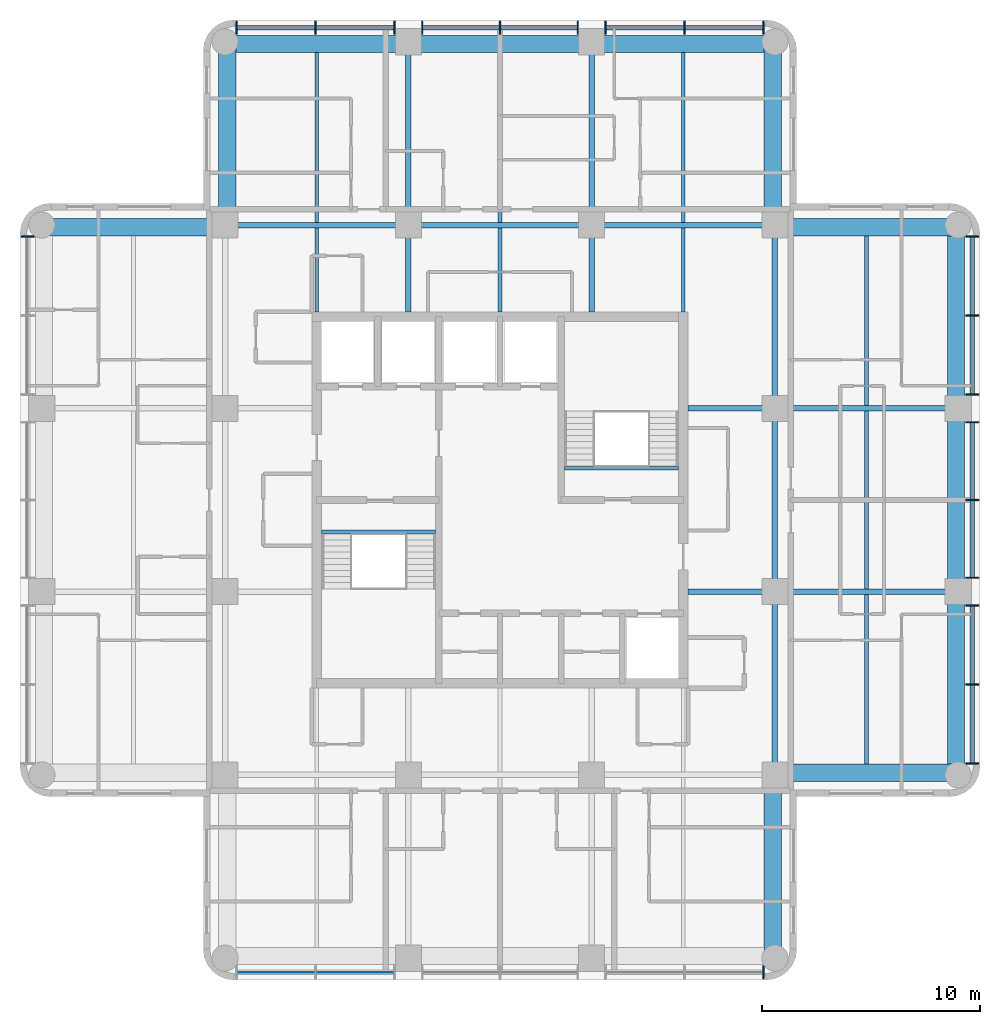
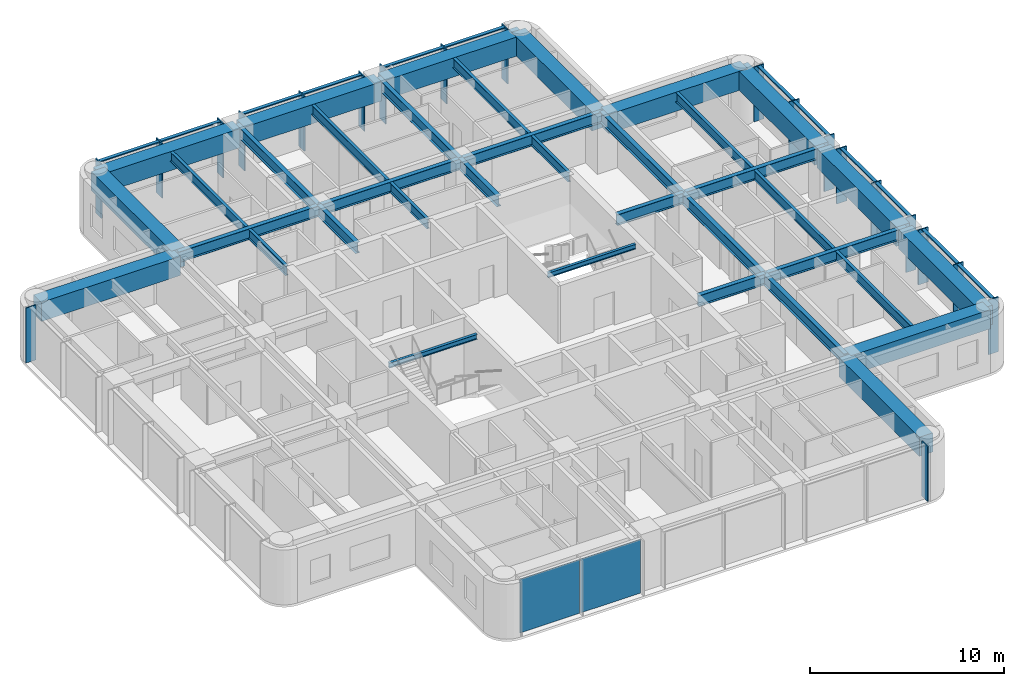
# One storey, part 2 of 10: 37 beams, 32 members, 2 plates, 4 elements without a shape of their own.
"""IFC4 building model written with IfcOpenShell, lengths in metres."""

from ifc_helpers import new_model, si_unit, direction, frame, origin, origin_2d, place, context, subcontext, project, spatial, rectangle, i_section, extrude, material, layer, layer_set, material_profile, profile_set, type_object, element, aggregate, save


model = new_model("IFC4")

# Units and contexts
model_context = context("Model", 3, precision=1e-05, world=origin(), true_north=direction((0.0, 1.0)))
body_context = subcontext(model_context, "Body", "Model", "MODEL_VIEW")
ifc_project = project(units=[si_unit("LENGTHUNIT", "METRE"), si_unit("AREAUNIT", "SQUARE_METRE"), si_unit("VOLUMEUNIT", "CUBIC_METRE"), si_unit("PLANEANGLEUNIT", "RADIAN"), si_unit("MASSUNIT", "GRAM", prefix="KILO")], contexts=[model_context])

# Site, building, storey
site_placement = place(None, origin())
site = spatial("IfcSite", under=ifc_project, at=site_placement, CompositionType="ELEMENT")
building_placement = place(site_placement, origin())
building = spatial("IfcBuilding", under=site, at=building_placement, Name="Torre Alcanfor", CompositionType="ELEMENT")
storey_placement = place(building_placement, frame((0.0, 0.0, 279.300048828125)))
storey = spatial("IfcBuildingStorey", under=building, at=storey_placement, Name="L73", CompositionType="ELEMENT", Elevation=279.300048828125)

# Curtain wall, member
ifc_material_1 = material(Name="Aluminium and glass", Category="aluminium")
curtain_wall_type = type_object("IfcCurtainWallType", Name="CW-A unitised apartment glazing with vertical FIN", PredefinedType="NOTDEFINED", material=ifc_material_1)
curtain_wall_1_placement = place(storey_placement, origin())
curtain_wall_1 = element("IfcCurtainWall", 1, at=curtain_wall_1_placement, inside=storey, type_object=curtain_wall_type, Name="Curtain wall CW-A L73 2", PredefinedType="NOTDEFINED")
ifc_material_2 = material(Name="Bronze anodised aluminium", Category="aluminium")
ifc_material_profile_1 = material_profile(ifc_material_2, rectangle(XDim=0.60009765625, YDim=0.06494140625, at=origin_2d()), Name="CW-A mullion 65x600")
ifc_profile_set_1 = profile_set([ifc_material_profile_1], Name="Bronze anodised aluminium")
member_type_1 = type_object("IfcMemberType", Name="CW-A mullion with vertical FIN 65x600", PredefinedType="MULLION", material=ifc_profile_set_1)
member_1_placement = place(storey_placement, frame((7.75, 41.47412109375, 0.0), z_axis=(0.0, 0.0, 1.0), x_axis=(1.0, 0.0, 0.0)))
member_1 = element("IfcMember", 2, at=member_1_placement, type_object=member_type_1, Name="CW-A mullion 1.1", PredefinedType="MULLION", context=body_context, shape_type="SweptSolid", body=[
    extrude(rectangle(XDim=0.60009765625, YDim=0.06494140625, at=origin_2d()), origin(), (0.0, 0.0, 1.0), 3.449951171875),
])
aggregate(curtain_wall_1, [member_1])

curtain_wall_2_placement = place(storey_placement, origin())
curtain_wall_2 = element("IfcCurtainWall", 3, at=curtain_wall_2_placement, inside=storey, type_object=curtain_wall_type, Name="Curtain wall CW-A L73 5", PredefinedType="NOTDEFINED")
member_2_placement = place(storey_placement, frame((41.47412109375, 7.75, 0.0), z_axis=(0.0, 0.0, 1.0), x_axis=(0.0, 1.0, 0.0)))
member_2 = element("IfcMember", 4, at=member_2_placement, type_object=member_type_1, Name="CW-A mullion 3.3", PredefinedType="MULLION", context=body_context, shape_type="SweptSolid", body=[
    extrude(rectangle(XDim=0.60009765625, YDim=0.06494140625, at=origin_2d()), origin(), (0.0, 0.0, 1.0), 3.449951171875),
])

# Curtain wall, members
curtain_wall_3_placement = place(storey_placement, origin())
curtain_wall_3 = element("IfcCurtainWall", 5, at=curtain_wall_3_placement, inside=storey, type_object=curtain_wall_type, Name="Curtain wall CW-A L73 8", PredefinedType="NOTDEFINED")
member_3_placement = place(storey_placement, frame((51.050048828125, 17.325927734375, 0.0), z_axis=(0.0, 0.0, 1.0), x_axis=(-1.0, 0.0, 0.0)))
member_3 = element("IfcMember", 6, at=member_3_placement, type_object=member_type_1, Name="CW-A mullion 1.1", PredefinedType="MULLION", context=body_context, shape_type="SweptSolid", body=[
    extrude(rectangle(XDim=0.60009765625, YDim=0.06494140625, at=origin_2d()), origin(), (0.0, 0.0, 1.0), 3.449951171875),
])
member_4_placement = place(storey_placement, frame((51.050048828125, 20.9443359375, 0.0), z_axis=(0.0, 0.0, 1.0), x_axis=(-1.0, 0.0, 0.0)))
member_4 = element("IfcMember", 7, at=member_4_placement, type_object=member_type_1, Name="CW-A mullion 1.2", PredefinedType="MULLION", context=body_context, shape_type="SweptSolid", body=[
    extrude(rectangle(XDim=0.60009765625, YDim=0.06494140625, at=origin_2d()), origin(), (0.0, 0.0, 1.0), 3.449951171875),
])
member_5_placement = place(storey_placement, frame((51.050048828125, 24.5625, 0.0), z_axis=(0.0, 0.0, 1.0), x_axis=(-1.0, 0.0, 0.0)))
member_5 = element("IfcMember", 8, at=member_5_placement, type_object=member_type_1, Name="CW-A mullion 1.3", PredefinedType="MULLION", context=body_context, shape_type="SweptSolid", body=[
    extrude(rectangle(XDim=0.60009765625, YDim=0.06494140625, at=origin_2d()), origin(), (0.0, 0.0, 1.0), 3.449951171875),
])
member_6_placement = place(storey_placement, frame((51.050048828125, 25.83740234375, 0.0), z_axis=(0.0, 0.0, 1.0), x_axis=(-1.0, 0.0, 0.0)))
member_6 = element("IfcMember", 9, at=member_6_placement, type_object=member_type_1, Name="CW-A mullion 2.1", PredefinedType="MULLION", context=body_context, shape_type="SweptSolid", body=[
    extrude(rectangle(XDim=0.60009765625, YDim=0.06494140625, at=origin_2d()), origin(), (0.0, 0.0, 1.0), 3.449951171875),
])
member_7_placement = place(storey_placement, frame((51.050048828125, 29.39990234375, 0.0), z_axis=(0.0, 0.0, 1.0), x_axis=(-1.0, 0.0, 0.0)))
member_7 = element("IfcMember", 10, at=member_7_placement, type_object=member_type_1, Name="CW-A mullion 2.2", PredefinedType="MULLION", context=body_context, shape_type="SweptSolid", body=[
    extrude(rectangle(XDim=0.60009765625, YDim=0.06494140625, at=origin_2d()), origin(), (0.0, 0.0, 1.0), 3.449951171875),
])
member_8_placement = place(storey_placement, frame((51.050048828125, 32.96240234375, 0.0), z_axis=(0.0, 0.0, 1.0), x_axis=(-1.0, 0.0, 0.0)))
member_8 = element("IfcMember", 11, at=member_8_placement, type_object=member_type_1, Name="CW-A mullion 2.3", PredefinedType="MULLION", context=body_context, shape_type="SweptSolid", body=[
    extrude(rectangle(XDim=0.60009765625, YDim=0.06494140625, at=origin_2d()), origin(), (0.0, 0.0, 1.0), 3.449951171875),
])
member_9_placement = place(storey_placement, frame((51.050048828125, 34.237548828125, 0.0), z_axis=(0.0, 0.0, 1.0), x_axis=(-1.0, 0.0, 0.0)))
member_9 = element("IfcMember", 12, at=member_9_placement, type_object=member_type_1, Name="CW-A mullion 3.1", PredefinedType="MULLION", context=body_context, shape_type="SweptSolid", body=[
    extrude(rectangle(XDim=0.60009765625, YDim=0.06494140625, at=origin_2d()), origin(), (0.0, 0.0, 1.0), 3.449951171875),
])
member_10_placement = place(storey_placement, frame((51.050048828125, 37.855712890625, 0.0), z_axis=(0.0, 0.0, 1.0), x_axis=(-1.0, 0.0, 0.0)))
member_10 = element("IfcMember", 13, at=member_10_placement, type_object=member_type_1, Name="CW-A mullion 3.2", PredefinedType="MULLION", context=body_context, shape_type="SweptSolid", body=[
    extrude(rectangle(XDim=0.60009765625, YDim=0.06494140625, at=origin_2d()), origin(), (0.0, 0.0, 1.0), 3.449951171875),
])
member_11_placement = place(storey_placement, frame((51.050048828125, 41.47412109375, 0.0), z_axis=(0.0, 0.0, 1.0), x_axis=(-1.0, 0.0, 0.0)))
member_11 = element("IfcMember", 14, at=member_11_placement, type_object=member_type_1, Name="CW-A mullion 3.3", PredefinedType="MULLION", context=body_context, shape_type="SweptSolid", body=[
    extrude(rectangle(XDim=0.60009765625, YDim=0.06494140625, at=origin_2d()), origin(), (0.0, 0.0, 1.0), 3.449951171875),
])

curtain_wall_4_placement = place(storey_placement, origin())
curtain_wall_4 = element("IfcCurtainWall", 15, at=curtain_wall_4_placement, inside=storey, type_object=curtain_wall_type, Name="Curtain wall CW-A L73 11", PredefinedType="NOTDEFINED")
member_12_placement = place(storey_placement, frame((41.47412109375, 51.050048828125, 0.0), z_axis=(0.0, 0.0, 1.0), x_axis=(0.0, -1.0, 0.0)))
member_12 = element("IfcMember", 16, at=member_12_placement, type_object=member_type_1, Name="CW-A mullion 1.1", PredefinedType="MULLION", context=body_context, shape_type="SweptSolid", body=[
    extrude(rectangle(XDim=0.60009765625, YDim=0.06494140625, at=origin_2d()), origin(), (0.0, 0.0, 1.0), 3.449951171875),
])
member_13_placement = place(storey_placement, frame((37.855712890625, 51.050048828125, 0.0), z_axis=(0.0, 0.0, 1.0), x_axis=(0.0, -1.0, 0.0)))
member_13 = element("IfcMember", 17, at=member_13_placement, type_object=member_type_1, Name="CW-A mullion 1.2", PredefinedType="MULLION", context=body_context, shape_type="SweptSolid", body=[
    extrude(rectangle(XDim=0.60009765625, YDim=0.06494140625, at=origin_2d()), origin(), (0.0, 0.0, 1.0), 3.449951171875),
])
member_14_placement = place(storey_placement, frame((34.237548828125, 51.050048828125, 0.0), z_axis=(0.0, 0.0, 1.0), x_axis=(0.0, -1.0, 0.0)))
member_14 = element("IfcMember", 18, at=member_14_placement, type_object=member_type_1, Name="CW-A mullion 1.3", PredefinedType="MULLION", context=body_context, shape_type="SweptSolid", body=[
    extrude(rectangle(XDim=0.60009765625, YDim=0.06494140625, at=origin_2d()), origin(), (0.0, 0.0, 1.0), 3.449951171875),
])
member_15_placement = place(storey_placement, frame((32.96240234375, 51.050048828125, 0.0), z_axis=(0.0, 0.0, 1.0), x_axis=(0.0, -1.0, 0.0)))
member_15 = element("IfcMember", 19, at=member_15_placement, type_object=member_type_1, Name="CW-A mullion 2.1", PredefinedType="MULLION", context=body_context, shape_type="SweptSolid", body=[
    extrude(rectangle(XDim=0.60009765625, YDim=0.06494140625, at=origin_2d()), origin(), (0.0, 0.0, 1.0), 3.449951171875),
])
member_16_placement = place(storey_placement, frame((29.39990234375, 51.050048828125, 0.0), z_axis=(0.0, 0.0, 1.0), x_axis=(0.0, -1.0, 0.0)))
member_16 = element("IfcMember", 20, at=member_16_placement, type_object=member_type_1, Name="CW-A mullion 2.2", PredefinedType="MULLION", context=body_context, shape_type="SweptSolid", body=[
    extrude(rectangle(XDim=0.60009765625, YDim=0.06494140625, at=origin_2d()), origin(), (0.0, 0.0, 1.0), 3.449951171875),
])
member_17_placement = place(storey_placement, frame((25.83740234375, 51.050048828125, 0.0), z_axis=(0.0, 0.0, 1.0), x_axis=(0.0, -1.0, 0.0)))
member_17 = element("IfcMember", 21, at=member_17_placement, type_object=member_type_1, Name="CW-A mullion 2.3", PredefinedType="MULLION", context=body_context, shape_type="SweptSolid", body=[
    extrude(rectangle(XDim=0.60009765625, YDim=0.06494140625, at=origin_2d()), origin(), (0.0, 0.0, 1.0), 3.449951171875),
])
member_18_placement = place(storey_placement, frame((24.5625, 51.050048828125, 0.0), z_axis=(0.0, 0.0, 1.0), x_axis=(0.0, -1.0, 0.0)))
member_18 = element("IfcMember", 22, at=member_18_placement, type_object=member_type_1, Name="CW-A mullion 3.1", PredefinedType="MULLION", context=body_context, shape_type="SweptSolid", body=[
    extrude(rectangle(XDim=0.60009765625, YDim=0.06494140625, at=origin_2d()), origin(), (0.0, 0.0, 1.0), 3.449951171875),
])
member_19_placement = place(storey_placement, frame((20.9443359375, 51.050048828125, 0.0), z_axis=(0.0, 0.0, 1.0), x_axis=(0.0, -1.0, 0.0)))
member_19 = element("IfcMember", 23, at=member_19_placement, type_object=member_type_1, Name="CW-A mullion 3.2", PredefinedType="MULLION", context=body_context, shape_type="SweptSolid", body=[
    extrude(rectangle(XDim=0.60009765625, YDim=0.06494140625, at=origin_2d()), origin(), (0.0, 0.0, 1.0), 3.449951171875),
])
member_20_placement = place(storey_placement, frame((17.325927734375, 51.050048828125, 0.0), z_axis=(0.0, 0.0, 1.0), x_axis=(0.0, -1.0, 0.0)))
member_20 = element("IfcMember", 24, at=member_20_placement, type_object=member_type_1, Name="CW-A mullion 3.3", PredefinedType="MULLION", context=body_context, shape_type="SweptSolid", body=[
    extrude(rectangle(XDim=0.60009765625, YDim=0.06494140625, at=origin_2d()), origin(), (0.0, 0.0, 1.0), 3.449951171875),
])

# Member
ifc_material_3 = material(Name="Extruded aluminium", Category="aluminium")
ifc_material_profile_2 = material_profile(ifc_material_3, rectangle(XDim=0.199951171875, YDim=0.06494140625, at=origin_2d()), Name="CW-A transom 200x65")
ifc_profile_set_2 = profile_set([ifc_material_profile_2], Name="Extruded aluminium")
member_type_2 = type_object("IfcMemberType", Name="CW-A transom 65x200", PredefinedType="USERDEFINED", material=ifc_profile_set_2)
member_21_placement = place(storey_placement, frame((51.050048828125, 17.3583984375, 3.41748046875), z_axis=(0.0, 1.0, 0.0), x_axis=(-1.0, 0.0, 0.0)))
member_21 = element("IfcMember", 25, at=member_21_placement, type_object=member_type_2, Name="CW-A transom 1.1.2", ObjectType="TRANSOM", PredefinedType="USERDEFINED", context=body_context, shape_type="SweptSolid", body=[
    extrude(rectangle(XDim=0.199951171875, YDim=0.06494140625, at=origin_2d()), origin(), (0.0, 0.0, 1.0), 3.553466796875),
])

member_22_placement = place(storey_placement, frame((51.050048828125, 20.976806640625, 3.41748046875), z_axis=(0.0, 1.0, 0.0), x_axis=(-1.0, 0.0, 0.0)))
member_22 = element("IfcMember", 26, at=member_22_placement, type_object=member_type_2, Name="CW-A transom 1.2.2", ObjectType="TRANSOM", PredefinedType="USERDEFINED", context=body_context, shape_type="SweptSolid", body=[
    extrude(rectangle(XDim=0.199951171875, YDim=0.06494140625, at=origin_2d()), origin(), (0.0, 0.0, 1.0), 3.55322265625),
])

member_23_placement = place(storey_placement, frame((51.050048828125, 25.8701171875, 3.41748046875), z_axis=(0.0, 1.0, 0.0), x_axis=(-1.0, 0.0, 0.0)))
member_23 = element("IfcMember", 27, at=member_23_placement, type_object=member_type_2, Name="CW-A transom 2.1.2", ObjectType="TRANSOM", PredefinedType="USERDEFINED", context=body_context, shape_type="SweptSolid", body=[
    extrude(rectangle(XDim=0.199951171875, YDim=0.06494140625, at=origin_2d()), origin(), (0.0, 0.0, 1.0), 3.497314453125),
])

member_24_placement = place(storey_placement, frame((51.050048828125, 29.4326171875, 3.41748046875), z_axis=(0.0, 1.0, 0.0), x_axis=(-1.0, 0.0, 0.0)))
member_24 = element("IfcMember", 28, at=member_24_placement, type_object=member_type_2, Name="CW-A transom 2.2.2", ObjectType="TRANSOM", PredefinedType="USERDEFINED", context=body_context, shape_type="SweptSolid", body=[
    extrude(rectangle(XDim=0.199951171875, YDim=0.06494140625, at=origin_2d()), origin(), (0.0, 0.0, 1.0), 3.497314453125),
])

member_25_placement = place(storey_placement, frame((51.050048828125, 34.27001953125, 3.41748046875), z_axis=(0.0, 1.0, 0.0), x_axis=(-1.0, 0.0, 0.0)))
member_25 = element("IfcMember", 29, at=member_25_placement, type_object=member_type_2, Name="CW-A transom 3.1.2", ObjectType="TRANSOM", PredefinedType="USERDEFINED", context=body_context, shape_type="SweptSolid", body=[
    extrude(rectangle(XDim=0.199951171875, YDim=0.06494140625, at=origin_2d()), origin(), (0.0, 0.0, 1.0), 3.55322265625),
])

member_26_placement = place(storey_placement, frame((51.050048828125, 37.88818359375, 3.41748046875), z_axis=(0.0, 1.0, 0.0), x_axis=(-1.0, 0.0, 0.0)))
member_26 = element("IfcMember", 30, at=member_26_placement, type_object=member_type_2, Name="CW-A transom 3.2.2", ObjectType="TRANSOM", PredefinedType="USERDEFINED", context=body_context, shape_type="SweptSolid", body=[
    extrude(rectangle(XDim=0.199951171875, YDim=0.06494140625, at=origin_2d()), origin(), (0.0, 0.0, 1.0), 3.55322265625),
])

aggregate(curtain_wall_3, [member_3, member_4, member_5, member_21, member_22, member_6, member_7, member_8, member_23, member_24, member_9, member_10, member_11, member_25, member_26])

member_27_placement = place(storey_placement, frame((41.44140625, 51.050048828125, 3.41748046875), z_axis=(-1.0, 0.0, 0.0), x_axis=(0.0, -1.0, 0.0)))
member_27 = element("IfcMember", 31, at=member_27_placement, type_object=member_type_2, Name="CW-A transom 1.1.2", ObjectType="TRANSOM", PredefinedType="USERDEFINED", context=body_context, shape_type="SweptSolid", body=[
    extrude(rectangle(XDim=0.199951171875, YDim=0.06494140625, at=origin_2d()), origin(), (0.0, 0.0, 1.0), 3.55322265625),
])

member_28_placement = place(storey_placement, frame((37.8232421875, 51.050048828125, 3.41748046875), z_axis=(-1.0, 0.0, 0.0), x_axis=(0.0, -1.0, 0.0)))
member_28 = element("IfcMember", 32, at=member_28_placement, type_object=member_type_2, Name="CW-A transom 1.2.2", ObjectType="TRANSOM", PredefinedType="USERDEFINED", context=body_context, shape_type="SweptSolid", body=[
    extrude(rectangle(XDim=0.199951171875, YDim=0.06494140625, at=origin_2d()), origin(), (0.0, 0.0, 1.0), 3.55322265625),
])

member_29_placement = place(storey_placement, frame((32.929931640625, 51.050048828125, 3.41748046875), z_axis=(-1.0, 0.0, 0.0), x_axis=(0.0, -1.0, 0.0)))
member_29 = element("IfcMember", 33, at=member_29_placement, type_object=member_type_2, Name="CW-A transom 2.1.2", ObjectType="TRANSOM", PredefinedType="USERDEFINED", context=body_context, shape_type="SweptSolid", body=[
    extrude(rectangle(XDim=0.199951171875, YDim=0.06494140625, at=origin_2d()), origin(), (0.0, 0.0, 1.0), 3.497314453125),
])

member_30_placement = place(storey_placement, frame((29.367431640625, 51.050048828125, 3.41748046875), z_axis=(-1.0, 0.0, 0.0), x_axis=(0.0, -1.0, 0.0)))
member_30 = element("IfcMember", 34, at=member_30_placement, type_object=member_type_2, Name="CW-A transom 2.2.2", ObjectType="TRANSOM", PredefinedType="USERDEFINED", context=body_context, shape_type="SweptSolid", body=[
    extrude(rectangle(XDim=0.199951171875, YDim=0.06494140625, at=origin_2d()), origin(), (0.0, 0.0, 1.0), 3.497314453125),
])

member_31_placement = place(storey_placement, frame((24.530029296875, 51.050048828125, 3.41748046875), z_axis=(-1.0, 0.0, 0.0), x_axis=(0.0, -1.0, 0.0)))
member_31 = element("IfcMember", 35, at=member_31_placement, type_object=member_type_2, Name="CW-A transom 3.1.2", ObjectType="TRANSOM", PredefinedType="USERDEFINED", context=body_context, shape_type="SweptSolid", body=[
    extrude(rectangle(XDim=0.199951171875, YDim=0.06494140625, at=origin_2d()), origin(), (0.0, 0.0, 1.0), 3.55322265625),
])

member_32_placement = place(storey_placement, frame((20.911865234375, 51.050048828125, 3.41748046875), z_axis=(-1.0, 0.0, 0.0), x_axis=(0.0, -1.0, 0.0)))
member_32 = element("IfcMember", 36, at=member_32_placement, type_object=member_type_2, Name="CW-A transom 3.2.2", ObjectType="TRANSOM", PredefinedType="USERDEFINED", context=body_context, shape_type="SweptSolid", body=[
    extrude(rectangle(XDim=0.199951171875, YDim=0.06494140625, at=origin_2d()), origin(), (0.0, 0.0, 1.0), 3.553466796875),
])

aggregate(curtain_wall_4, [member_12, member_13, member_14, member_27, member_28, member_15, member_16, member_17, member_29, member_30, member_18, member_19, member_20, member_31, member_32])

# Beams
ifc_material_4 = material(Name="Steel ASTM A992 Grade 50", Category="steel")
ifc_material_profile_3 = material_profile(ifc_material_4, i_section(OverallWidth=0.25390625, OverallDepth=0.683349609375, WebThickness=0.012451171875, FlangeThickness=0.01904296875, at=origin_2d()), Name="W27x94")
ifc_profile_set_3 = profile_set([ifc_material_profile_3], Name="Steel ASTM A992 Grade 50")
beam_type_1 = type_object("IfcBeamType", Name="Girder W27x94", PredefinedType="BEAM", material=ifc_profile_set_3)
for number, where, z_axis, x_axis, name in (
    (37, (42.0, 25.199951171875, 3.1083984375), (1.0, 0.0, 0.0), (0.0, 1.0, 0.0), "Beam 6F-7F under L74"),
    (38, (42.0, 33.60009765625, 3.1083984375), (1.0, 0.0, 0.0), (0.0, 1.0, 0.0), "Beam 6G-7G under L74"),
    (39, (16.800048828125, 42.0, 3.1083984375), (1.0, 0.0, 0.0), (0.0, 1.0, 0.0), "Beam 3H-4H under L74"),
):
    element("IfcBeam", number, at=place(storey_placement, frame(where, z_axis=z_axis, x_axis=x_axis)), inside=storey, type_object=beam_type_1, Name=name, PredefinedType="BEAM", context=body_context, shape_type="SweptSolid", body=[
        extrude(i_section(OverallWidth=0.25390625, OverallDepth=0.683349609375, WebThickness=0.012451171875, FlangeThickness=0.01904296875, at=origin_2d()), origin(), (0.0, 0.0, 1.0), 8.39990234375),
    ])
beam_1_placement = place(storey_placement, frame((25.199951171875, 42.0, 3.1083984375), z_axis=(1.0, 0.0, 0.0), x_axis=(0.0, 1.0, 0.0)))
element("IfcBeam", 40, at=beam_1_placement, inside=storey, type_object=beam_type_1, Name="Beam 4H-5H under L74", PredefinedType="BEAM", context=body_context, shape_type="SweptSolid", body=[
    extrude(i_section(OverallWidth=0.25390625, OverallDepth=0.683349609375, WebThickness=0.012451171875, FlangeThickness=0.01904296875, at=origin_2d()), origin(), (0.0, 0.0, 1.0), 8.400146484375),
])
for number, where, z_axis, x_axis, name in (
    (41, (33.60009765625, 42.0, 3.1083984375), (1.0, 0.0, 0.0), (0.0, 1.0, 0.0), "Beam 5H-6H under L74"),
    (42, (25.199951171875, 42.0, 3.1083984375), (0.0, 1.0, 0.0), (-1.0, 0.0, 0.0), "Beam 4H-4J under L74"),
    (43, (33.60009765625, 42.0, 3.1083984375), (0.0, 1.0, 0.0), (-1.0, 0.0, 0.0), "Beam 5H-5J under L74"),
    (44, (42.0, 16.800048828125, 3.1083984375), (0.0, 1.0, 0.0), (-1.0, 0.0, 0.0), "Beam 6E-6F under L74"),
):
    element("IfcBeam", number, at=place(storey_placement, frame(where, z_axis=z_axis, x_axis=x_axis)), inside=storey, type_object=beam_type_1, Name=name, PredefinedType="BEAM", context=body_context, shape_type="SweptSolid", body=[
        extrude(i_section(OverallWidth=0.25390625, OverallDepth=0.683349609375, WebThickness=0.012451171875, FlangeThickness=0.01904296875, at=origin_2d()), origin(), (0.0, 0.0, 1.0), 8.39990234375),
    ])
beam_2_placement = place(storey_placement, frame((42.0, 25.199951171875, 3.1083984375), z_axis=(0.0, 1.0, 0.0), x_axis=(-1.0, 0.0, 0.0)))
element("IfcBeam", 45, at=beam_2_placement, inside=storey, type_object=beam_type_1, Name="Beam 6F-6G under L74", PredefinedType="BEAM", context=body_context, shape_type="SweptSolid", body=[
    extrude(i_section(OverallWidth=0.25390625, OverallDepth=0.683349609375, WebThickness=0.012451171875, FlangeThickness=0.01904296875, at=origin_2d()), origin(), (0.0, 0.0, 1.0), 8.400146484375),
])
beam_3_placement = place(storey_placement, frame((42.0, 33.60009765625, 3.1083984375), z_axis=(0.0, 1.0, 0.0), x_axis=(-1.0, 0.0, 0.0)))
element("IfcBeam", 46, at=beam_3_placement, inside=storey, type_object=beam_type_1, Name="Beam 6G-6H under L74", PredefinedType="BEAM", context=body_context, shape_type="SweptSolid", body=[
    extrude(i_section(OverallWidth=0.25390625, OverallDepth=0.683349609375, WebThickness=0.012451171875, FlangeThickness=0.01904296875, at=origin_2d()), origin(), (0.0, 0.0, 1.0), 8.39990234375),
])
ifc_material_5 = material(Name="Steel ASTM A992 Grade 50", Category="steel")
ifc_material_profile_4 = material_profile(ifc_material_5, i_section(OverallWidth=0.25390625, OverallDepth=0.683349609375, WebThickness=0.012451171875, FlangeThickness=0.01904296875, at=origin_2d()), Name="W27x94")
ifc_profile_set_4 = profile_set([ifc_material_profile_4], Name="Steel ASTM A992 Grade 50")
beam_type_2 = type_object("IfcBeamType", Name="Girder, part bay W27x94", PredefinedType="BEAM", material=ifc_profile_set_4)
for number, where, z_axis, x_axis, name in (
    (47, (25.199951171875, 42.0, 3.1083984375), (0.0, -1.0, 0.0), (1.0, 0.0, 0.0), "Beam 4H-438_025 under L74"),
    (48, (33.60009765625, 42.0, 3.1083984375), (0.0, -1.0, 0.0), (1.0, 0.0, 0.0), "Beam 5H-538_025 under L74"),
    (49, (42.0, 25.199951171875, 3.1083984375), (-1.0, 0.0, 0.0), (0.0, -1.0, 0.0), "Beam 6F-38_025F under L74"),
    (50, (42.0, 33.60009765625, 3.1083984375), (-1.0, 0.0, 0.0), (0.0, -1.0, 0.0), "Beam 6G-38_025G under L74"),
):
    element("IfcBeam", number, at=place(storey_placement, frame(where, z_axis=z_axis, x_axis=x_axis)), inside=storey, type_object=beam_type_2, Name=name, PredefinedType="BEAM", context=body_context, shape_type="SweptSolid", body=[
        extrude(i_section(OverallWidth=0.25390625, OverallDepth=0.683349609375, WebThickness=0.012451171875, FlangeThickness=0.01904296875, at=origin_2d()), origin(), (0.0, 0.0, 1.0), 3.97509765625),
    ])
ifc_material_6 = material(Name="Concrete f'c 70 MPa", Category="concrete")
ifc_material_profile_5 = material_profile(ifc_material_6, rectangle(XDim=0.800048828125, YDim=1.199951171875, at=origin_2d()), Name="800x1200")
ifc_profile_set_5 = profile_set([ifc_material_profile_5], Name="Concrete f'c 70 MPa")
beam_type_3 = type_object("IfcBeamType", Name="RC perimeter beam 800x1200", PredefinedType="BEAM", material=ifc_profile_set_5)
beam_4_placement = place(storey_placement, frame((42.126953125, 16.89990234375, 2.849853515625), z_axis=(1.0, 0.0, 0.0), x_axis=(0.0, 1.0, 0.0)))
element("IfcBeam", 51, at=beam_4_placement, inside=storey, type_object=beam_type_3, Name="Beam 6E-7E under L74", PredefinedType="BEAM", context=body_context, shape_type="SweptSolid", body=[
    extrude(rectangle(XDim=0.800048828125, YDim=1.199951171875, at=origin_2d()), origin(), (0.0, 0.0, 1.0), 8.27294921875),
])
beam_5_placement = place(storey_placement, frame((8.39990234375, 41.89990234375, 2.849853515625), z_axis=(1.0, 0.0, 0.0), x_axis=(0.0, 1.0, 0.0)))
element("IfcBeam", 52, at=beam_5_placement, inside=storey, type_object=beam_type_3, Name="Beam 2H-3H under L74", PredefinedType="BEAM", context=body_context, shape_type="SweptSolid", body=[
    extrude(rectangle(XDim=0.800048828125, YDim=1.199951171875, at=origin_2d()), origin(), (0.0, 0.0, 1.0), 8.273193359375),
])
for number, where, z_axis, x_axis, name in (
    (53, (42.126953125, 41.89990234375, 2.849853515625), (1.0, 0.0, 0.0), (0.0, 1.0, 0.0), "Beam 6H-7H under L74"),
    (54, (16.800048828125, 50.300048828125, 2.849853515625), (1.0, 0.0, 0.0), (0.0, 1.0, 0.0), "Beam 3J-4J under L74"),
):
    element("IfcBeam", number, at=place(storey_placement, frame(where, z_axis=z_axis, x_axis=x_axis)), inside=storey, type_object=beam_type_3, Name=name, PredefinedType="BEAM", context=body_context, shape_type="SweptSolid", body=[
        extrude(rectangle(XDim=0.800048828125, YDim=1.199951171875, at=origin_2d()), origin(), (0.0, 0.0, 1.0), 8.27294921875),
    ])
beam_6_placement = place(storey_placement, frame((25.326904296875, 50.300048828125, 2.849853515625), z_axis=(1.0, 0.0, 0.0), x_axis=(0.0, 1.0, 0.0)))
element("IfcBeam", 55, at=beam_6_placement, inside=storey, type_object=beam_type_3, Name="Beam 4J-5J under L74", PredefinedType="BEAM", context=body_context, shape_type="SweptSolid", body=[
    extrude(rectangle(XDim=0.800048828125, YDim=1.199951171875, at=origin_2d()), origin(), (0.0, 0.0, 1.0), 8.14599609375),
])
for number, where, z_axis, x_axis, name in (
    (56, (33.72705078125, 50.300048828125, 2.849853515625), (1.0, 0.0, 0.0), (0.0, 1.0, 0.0), "Beam 5J-6J under L74"),
    (57, (16.89990234375, 42.126953125, 2.849853515625), (0.0, 1.0, 0.0), (-1.0, 0.0, 0.0), "Beam 3H-3J under L74"),
):
    element("IfcBeam", number, at=place(storey_placement, frame(where, z_axis=z_axis, x_axis=x_axis)), inside=storey, type_object=beam_type_3, Name=name, PredefinedType="BEAM", context=body_context, shape_type="SweptSolid", body=[
        extrude(rectangle(XDim=0.800048828125, YDim=1.199951171875, at=origin_2d()), origin(), (0.0, 0.0, 1.0), 8.27294921875),
    ])
beam_7_placement = place(storey_placement, frame((41.89990234375, 8.39990234375, 2.849853515625), z_axis=(0.0, 1.0, 0.0), x_axis=(-1.0, 0.0, 0.0)))
element("IfcBeam", 58, at=beam_7_placement, inside=storey, type_object=beam_type_3, Name="Beam 6D-6E under L74", PredefinedType="BEAM", context=body_context, shape_type="SweptSolid", body=[
    extrude(rectangle(XDim=0.800048828125, YDim=1.199951171875, at=origin_2d()), origin(), (0.0, 0.0, 1.0), 8.273193359375),
])
for number, where, z_axis, x_axis, name in (
    (59, (41.89990234375, 42.126953125, 2.849853515625), (0.0, 1.0, 0.0), (-1.0, 0.0, 0.0), "Beam 6H-6J under L74"),
    (60, (50.300048828125, 16.800048828125, 2.849853515625), (0.0, 1.0, 0.0), (-1.0, 0.0, 0.0), "Beam 7E-7F under L74"),
):
    element("IfcBeam", number, at=place(storey_placement, frame(where, z_axis=z_axis, x_axis=x_axis)), inside=storey, type_object=beam_type_3, Name=name, PredefinedType="BEAM", context=body_context, shape_type="SweptSolid", body=[
        extrude(rectangle(XDim=0.800048828125, YDim=1.199951171875, at=origin_2d()), origin(), (0.0, 0.0, 1.0), 8.27294921875),
    ])
beam_8_placement = place(storey_placement, frame((50.300048828125, 25.326904296875, 2.849853515625), z_axis=(0.0, 1.0, 0.0), x_axis=(-1.0, 0.0, 0.0)))
element("IfcBeam", 61, at=beam_8_placement, inside=storey, type_object=beam_type_3, Name="Beam 7F-7G under L74", PredefinedType="BEAM", context=body_context, shape_type="SweptSolid", body=[
    extrude(rectangle(XDim=0.800048828125, YDim=1.199951171875, at=origin_2d()), origin(), (0.0, 0.0, 1.0), 8.14599609375),
])
beam_9_placement = place(storey_placement, frame((50.300048828125, 33.72705078125, 2.849853515625), z_axis=(0.0, 1.0, 0.0), x_axis=(-1.0, 0.0, 0.0)))
element("IfcBeam", 62, at=beam_9_placement, inside=storey, type_object=beam_type_3, Name="Beam 7G-7H under L74", PredefinedType="BEAM", context=body_context, shape_type="SweptSolid", body=[
    extrude(rectangle(XDim=0.800048828125, YDim=1.199951171875, at=origin_2d()), origin(), (0.0, 0.0, 1.0), 8.27294921875),
])
ifc_material_7 = material(Name="Steel ASTM A992 Grade 50", Category="steel")
ifc_material_profile_6 = material_profile(ifc_material_7, i_section(OverallWidth=0.1787109375, OverallDepth=0.60205078125, WebThickness=0.010986328125, FlangeThickness=0.014892578125, at=origin_2d()), Name="W24x62")
ifc_profile_set_6 = profile_set([ifc_material_profile_6], Name="Steel ASTM A992 Grade 50")
beam_type_4 = type_object("IfcBeamType", Name="Secondary beam W24x62", PredefinedType="BEAM", material=ifc_profile_set_6)
for number, where, z_axis, x_axis, name in (
    (63, (21.0, 42.126953125, 3.14892578125), (0.0, 1.0, 0.0), (-1.0, 0.0, 0.0), "Beam 21H-21J under L74"),
    (64, (29.39990234375, 42.126953125, 3.14892578125), (0.0, 1.0, 0.0), (-1.0, 0.0, 0.0), "Beam 29_4H-29_4J under L74"),
    (65, (37.800048828125, 42.126953125, 3.14892578125), (0.0, 1.0, 0.0), (-1.0, 0.0, 0.0), "Beam 37_8H-37_8J under L74"),
    (66, (46.199951171875, 17.300048828125, 3.14892578125), (0.0, 1.0, 0.0), (-1.0, 0.0, 0.0), "Beam 46_2E-46_2F under L74"),
):
    element("IfcBeam", number, at=place(storey_placement, frame(where, z_axis=z_axis, x_axis=x_axis)), inside=storey, type_object=beam_type_4, Name=name, PredefinedType="BEAM", context=body_context, shape_type="SweptSolid", body=[
        extrude(i_section(OverallWidth=0.1787109375, OverallDepth=0.60205078125, WebThickness=0.010986328125, FlangeThickness=0.014892578125, at=origin_2d()), origin(), (0.0, 0.0, 1.0), 7.77294921875),
    ])
beam_10_placement = place(storey_placement, frame((46.199951171875, 25.326904296875, 3.14892578125), z_axis=(0.0, 1.0, 0.0), x_axis=(-1.0, 0.0, 0.0)))
element("IfcBeam", 67, at=beam_10_placement, inside=storey, type_object=beam_type_4, Name="Beam 46_2F-46_2G under L74", PredefinedType="BEAM", context=body_context, shape_type="SweptSolid", body=[
    extrude(i_section(OverallWidth=0.1787109375, OverallDepth=0.60205078125, WebThickness=0.010986328125, FlangeThickness=0.014892578125, at=origin_2d()), origin(), (0.0, 0.0, 1.0), 8.14599609375),
])
beam_11_placement = place(storey_placement, frame((46.199951171875, 33.72705078125, 3.14892578125), z_axis=(0.0, 1.0, 0.0), x_axis=(-1.0, 0.0, 0.0)))
element("IfcBeam", 68, at=beam_11_placement, inside=storey, type_object=beam_type_4, Name="Beam 46_2G-46_2H under L74", PredefinedType="BEAM", context=body_context, shape_type="SweptSolid", body=[
    extrude(i_section(OverallWidth=0.1787109375, OverallDepth=0.60205078125, WebThickness=0.010986328125, FlangeThickness=0.014892578125, at=origin_2d()), origin(), (0.0, 0.0, 1.0), 7.77294921875),
])
ifc_material_8 = material(Name="Steel ASTM A992 Grade 50", Category="steel")
ifc_material_profile_7 = material_profile(ifc_material_8, i_section(OverallWidth=0.1787109375, OverallDepth=0.60205078125, WebThickness=0.010986328125, FlangeThickness=0.014892578125, at=origin_2d()), Name="W24x62")
ifc_profile_set_7 = profile_set([ifc_material_profile_7], Name="Steel ASTM A992 Grade 50")
beam_type_5 = type_object("IfcBeamType", Name="Secondary beam, part bay W24x62", PredefinedType="BEAM", material=ifc_profile_set_7)
for number, where, z_axis, x_axis, name in (
    (69, (21.0, 38.02490234375, 3.14892578125), (0.0, 1.0, 0.0), (-1.0, 0.0, 0.0), "Beam 2138_025-21H under L74"),
    (70, (29.39990234375, 38.02490234375, 3.14892578125), (0.0, 1.0, 0.0), (-1.0, 0.0, 0.0), "Beam 29_438_025-29_4H under L74"),
    (71, (37.800048828125, 38.02490234375, 3.14892578125), (0.0, 1.0, 0.0), (-1.0, 0.0, 0.0), "Beam 37_838_025-37_8H under L74"),
):
    element("IfcBeam", number, at=place(storey_placement, frame(where, z_axis=z_axis, x_axis=x_axis)), inside=storey, type_object=beam_type_5, Name=name, PredefinedType="BEAM", context=body_context, shape_type="SweptSolid", body=[
        extrude(i_section(OverallWidth=0.1787109375, OverallDepth=0.60205078125, WebThickness=0.010986328125, FlangeThickness=0.014892578125, at=origin_2d()), origin(), (0.0, 0.0, 1.0), 3.84814453125),
    ])
ifc_material_9 = material(Name="Steel ASTM A992 Grade 50", Category="steel")
ifc_material_profile_8 = material_profile(ifc_material_9, i_section(OverallWidth=0.164794921875, OverallDepth=0.309814453125, WebThickness=0.005859375, FlangeThickness=0.009765625, at=origin_2d()), Name="W12x26")
ifc_profile_set_8 = profile_set([ifc_material_profile_8], Name="Steel ASTM A992 Grade 50")
beam_type_6 = type_object("IfcBeamType", Name="Stair landing beam W12x26", PredefinedType="BEAM", material=ifc_profile_set_8)
for number, where, z_axis, x_axis, name in (
    (72, (21.22509765625, 27.9375, 3.2451171875), (1.0, 0.0, 0.0), (0.0, 1.0, 0.0), "Landing trimmer S1 L74"),
    (73, (32.35009765625, 30.862548828125, 3.2451171875), (1.0, 0.0, 0.0), (0.0, 1.0, 0.0), "Landing trimmer S2 L74"),
):
    element("IfcBeam", number, at=place(storey_placement, frame(where, z_axis=z_axis, x_axis=x_axis)), inside=storey, type_object=beam_type_6, Name=name, PredefinedType="BEAM", context=body_context, shape_type="SweptSolid", body=[
        extrude(i_section(OverallWidth=0.164794921875, OverallDepth=0.309814453125, WebThickness=0.005859375, FlangeThickness=0.009765625, at=origin_2d()), origin(), (0.0, 0.0, 1.0), 5.224853515625),
    ])

# Plate
ifc_material_10 = material(Name="Glass", Category="glass")
ifc_layer = layer(ifc_material_10, 0.028076171875)
ifc_layer_set = layer_set([ifc_layer], Name="CW-A clear double glazed unit")
plate_type = type_object("IfcPlateType", Name="CW-A clear double glazed unit", PredefinedType="CURTAIN_PANEL", material=ifc_layer_set)
plate_1_placement = place(storey_placement, frame((19.135009765625, 7.75, 0.0), z_axis=(0.0, 0.0, 1.0), x_axis=(1.0, 0.0, 0.0)))
plate_1 = element("IfcPlate", 74, at=plate_1_placement, type_object=plate_type, Name="CW-A panel 1.1.1", PredefinedType="CURTAIN_PANEL", context=body_context, shape_type="SweptSolid", body=[
    extrude(rectangle(XDim=3.55322265625, YDim=0.028076171875, at=origin_2d()), origin(), (0.0, 0.0, 1.0), 3.385009765625),
])

plate_2_placement = place(storey_placement, frame((22.75341796875, 7.75, 0.0), z_axis=(0.0, 0.0, 1.0), x_axis=(1.0, 0.0, 0.0)))
plate_2 = element("IfcPlate", 75, at=plate_2_placement, type_object=plate_type, Name="CW-A panel 1.2.1", PredefinedType="CURTAIN_PANEL", context=body_context, shape_type="SweptSolid", body=[
    extrude(rectangle(XDim=3.55322265625, YDim=0.028076171875, at=origin_2d()), origin(), (0.0, 0.0, 1.0), 3.385009765625),
])

aggregate(curtain_wall_2, [plate_1, plate_2, member_2])

save(model, "model.ifc")
